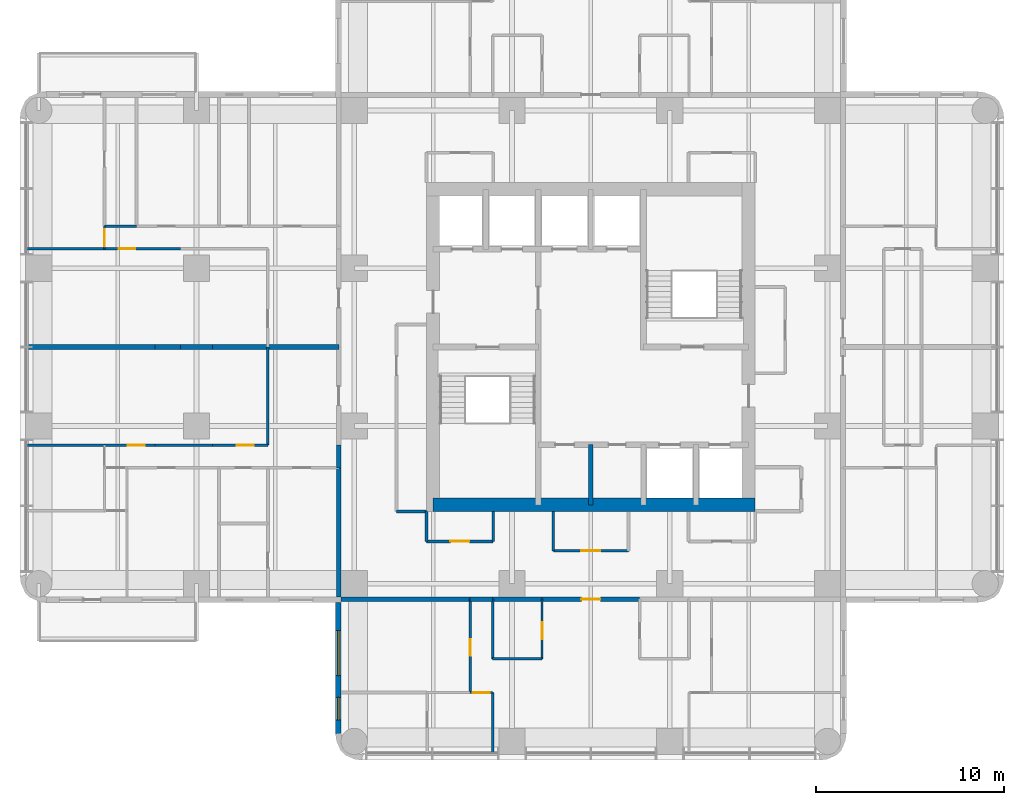
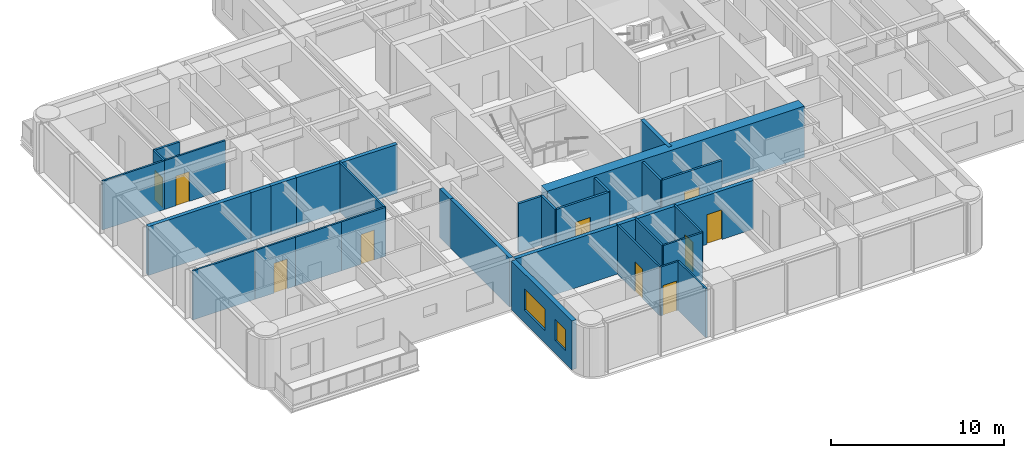
# One storey, part 5 of 11: 35 walls, 10 doors, 2 windows, 12 openings.
"""IFC4 building model written with IfcOpenShell, lengths in metres."""

from ifc_helpers import new_model, si_unit, direction, frame, frame_2d, origin, place, context, subcontext, project, spatial, rectangle, extrude, material, layer, layer_set, type_object, element, fill, save


model = new_model("IFC4")

# Units and contexts
model_context = context("Model", 3, precision=1e-05, world=origin(), true_north=direction((0.0, 1.0)))
body_context = subcontext(model_context, "Body", "Model", "MODEL_VIEW")
ifc_project = project(units=[si_unit("LENGTHUNIT", "METRE"), si_unit("AREAUNIT", "SQUARE_METRE"), si_unit("VOLUMEUNIT", "CUBIC_METRE"), si_unit("PLANEANGLEUNIT", "RADIAN"), si_unit("MASSUNIT", "GRAM", prefix="KILO")], contexts=[model_context])

# Site, building, storey
site_placement = place(None, origin())
site = spatial("IfcSite", under=ifc_project, at=site_placement, CompositionType="ELEMENT")
building_placement = place(site_placement, origin())
building = spatial("IfcBuilding", under=site, at=building_placement, Name="Torre Alcanfor", CompositionType="ELEMENT")
storey_placement = place(building_placement, frame((0.0, 0.0, 194.10009765625)))
storey = spatial("IfcBuildingStorey", under=building, at=storey_placement, Name="L50", CompositionType="ELEMENT", Elevation=194.10009765625)

# Wall, opening, door
ifc_material_1 = material(Name="Concrete block masonry, hollow blocks NMX-C-404 9 MPa", Category="masonry")
ifc_layer_1 = layer(ifc_material_1, 0.25)
ifc_layer_set_1 = layer_set([ifc_layer_1], Name="Apartment entrance wall 250 EI 60")
wall_type_1 = type_object("IfcWallType", Name="Apartment entrance wall 250 EI 60", PredefinedType="PARTITIONING", material=ifc_layer_set_1)
wall_1_placement = place(storey_placement, frame((32.0, 15.97509765625, 0.0), z_axis=(0.0, 0.0, 1.0), x_axis=(-1.0, 0.0, 0.0)))
wall_1 = element("IfcWall", 1, at=wall_1_placement, inside=storey, type_object=wall_type_1, Name="Partition L50-CORR / L50-SX-ZAG", PredefinedType="PARTITIONING", context=body_context, shape_type="SweptSolid", body=[
    extrude(rectangle(XDim=5.199951171875, YDim=0.25, at=frame_2d((2.60009765625, 0.0))), origin(), (0.0, 0.0, 1.0), 3.449951171875),
])
opening_1_placement = place(wall_1_placement, frame((2.10009765625, 0.0, 0.0)))
opening_1 = element("IfcOpeningElement", 2, at=opening_1_placement, cuts=wall_1, Name="Opening D-A1", PredefinedType="OPENING", context=body_context, shape_type="SweptSolid", body=[
    extrude(rectangle(XDim=1.0, YDim=2.10009765625, at=frame_2d((0.5, 1.050048828125))), frame((0.0, 0.135009765625, 0.0), z_axis=(0.0, -1.0, 0.0), x_axis=(1.0, 0.0, 0.0)), (0.0, 0.0, 1.0), 0.27001953125),
])
ifc_material_2 = material(Name="Galvanised steel sheet ASTM A653", Category="steel")
door_type_1 = type_object("IfcDoorType", Name="Apartment entrance door FD60 1000x2100", OperationType="SINGLE_SWING_LEFT", PredefinedType="DOOR", material=ifc_material_2)
door_1_placement = place(opening_1_placement, origin())
door_1 = element("IfcDoor", 3, at=door_1_placement, inside=storey, type_object=door_type_1, Name="Apartment entrance L50-SX", OperationType="SINGLE_SWING_LEFT", OverallHeight=2.10009765625, OverallWidth=1.0, PredefinedType="DOOR", context=body_context, shape_type="SweptSolid", body=[
    extrude(rectangle(XDim=1.0, YDim=2.10009765625, at=frame_2d((0.5, 1.050048828125))), frame((0.0, 0.02490234375, 0.0), z_axis=(0.0, -1.0, 0.0), x_axis=(1.0, 0.0, 0.0)), (0.0, 0.0, 1.0), 0.050048828125),
])
fill(opening_1, door_1)

# Walls
wall_2_placement = place(storey_placement, frame((26.800048828125, 15.97509765625, 0.0), z_axis=(0.0, 0.0, 1.0), x_axis=(-1.0, 0.0, 0.0)))
element("IfcWall", 4, at=wall_2_placement, inside=storey, type_object=wall_type_1, Name="Partition L50-CORR / L50-SX-KITCHEN", PredefinedType="PARTITIONING", context=body_context, shape_type="SweptSolid", body=[
    extrude(rectangle(XDim=2.629150390625, YDim=0.25, at=frame_2d((1.314453125, 0.0))), origin(), (0.0, 0.0, 1.0), 3.449951171875),
])
wall_3_placement = place(storey_placement, frame((24.1708984375, 15.97509765625, 0.0), z_axis=(0.0, 0.0, 1.0), x_axis=(-1.0, 0.0, 0.0)))
element("IfcWall", 5, at=wall_3_placement, inside=storey, type_object=wall_type_1, Name="Partition L50-CORR / L50-SX-LIVING", PredefinedType="PARTITIONING", context=body_context, shape_type="SweptSolid", body=[
    extrude(rectangle(XDim=1.199951171875, YDim=0.25, at=frame_2d((0.60009765625, 0.0))), origin(), (0.0, 0.0, 1.0), 3.449951171875),
])
wall_4_placement = place(storey_placement, frame((22.970947265625, 15.97509765625, 0.0), z_axis=(0.0, 0.0, 1.0), x_axis=(-1.0, 0.0, 0.0)))
element("IfcWall", 6, at=wall_4_placement, inside=storey, type_object=wall_type_1, Name="Partition L50-CORR / L50-SX-BED3", PredefinedType="PARTITIONING", context=body_context, shape_type="SweptSolid", body=[
    extrude(rectangle(XDim=6.870849609375, YDim=0.25, at=frame_2d((3.435546875, 0.0))), origin(), (0.0, 0.0, 1.0), 3.449951171875),
])
wall_5_placement = place(storey_placement, frame((15.97509765625, 22.970947265625, 0.0), z_axis=(0.0, 0.0, 1.0), x_axis=(0.0, 1.0, 0.0)))
element("IfcWall", 7, at=wall_5_placement, inside=storey, type_object=wall_type_1, Name="Partition L50-CORR / L50-W1-HALL", PredefinedType="PARTITIONING", context=body_context, shape_type="SweptSolid", body=[
    extrude(rectangle(XDim=1.199951171875, YDim=0.25, at=frame_2d((0.60009765625, 0.0))), origin(), (0.0, 0.0, 1.0), 3.449951171875),
])
wall_6_placement = place(storey_placement, frame((15.97509765625, 16.10009765625, 0.0), z_axis=(0.0, 0.0, 1.0), x_axis=(0.0, 1.0, 0.0)))
element("IfcWall", 8, at=wall_6_placement, inside=storey, type_object=wall_type_1, Name="Partition L50-CORR / L50-W1-SERV", PredefinedType="PARTITIONING", context=body_context, shape_type="SweptSolid", body=[
    extrude(rectangle(XDim=6.870849609375, YDim=0.25, at=frame_2d((3.435546875, 0.0))), origin(), (0.0, 0.0, 1.0), 3.449951171875),
])

# Wall, opening, door
ifc_material_3 = material(Name="Gypsum board on steel studs", Category="steel")
ifc_layer_2 = layer(ifc_material_3, 0.1201171875)
ifc_layer_set_2 = layer_set([ifc_layer_2], Name="Apartment partition 120")
wall_type_2 = type_object("IfcWallType", Name="Apartment partition 120", PredefinedType="PARTITIONING", material=ifc_layer_set_2)
wall_7_placement = place(storey_placement, frame((26.800048828125, 15.97509765625, 0.0), z_axis=(0.0, 0.0, 1.0), x_axis=(0.0, -1.0, 0.0)))
wall_7 = element("IfcWall", 9, at=wall_7_placement, inside=storey, type_object=wall_type_2, Name="Partition L50-SX-ZAG / L50-SX-KITCHEN", PredefinedType="PARTITIONING", context=body_context, shape_type="SweptSolid", body=[
    extrude(rectangle(XDim=3.175048828125, YDim=0.1201171875, at=frame_2d((1.58740234375, 0.0))), origin(), (0.0, 0.0, 1.0), 3.449951171875),
])
opening_2_placement = place(wall_7_placement, frame((1.22509765625, 0.0, 0.0)))
opening_2 = element("IfcOpeningElement", 10, at=opening_2_placement, cuts=wall_7, Name="Opening D-R1", PredefinedType="OPENING", context=body_context, shape_type="SweptSolid", body=[
    extrude(rectangle(XDim=0.89990234375, YDim=2.10009765625, at=frame_2d((0.449951171875, 1.050048828125))), frame((0.0, 0.070068359375, 0.0), z_axis=(0.0, -1.0, 0.0), x_axis=(1.0, 0.0, 0.0)), (0.0, 0.0, 1.0), 0.14013671875),
])
ifc_material_4 = material(Name="Timber", Category="wood")
door_type_2 = type_object("IfcDoorType", Name="Internal door 900x2100", OperationType="SINGLE_SWING_LEFT", PredefinedType="DOOR", material=ifc_material_4)
door_2_placement = place(opening_2_placement, frame((0.89990234375, 0.0, 0.0), z_axis=(0.0, 0.0, 1.0), x_axis=(-1.0, 0.0, 0.0)))
door_2 = element("IfcDoor", 11, at=door_2_placement, inside=storey, type_object=door_type_2, Name="Door L50-SX kitchen", OperationType="SINGLE_SWING_LEFT", OverallHeight=2.10009765625, OverallWidth=0.89990234375, PredefinedType="DOOR", context=body_context, shape_type="SweptSolid", body=[
    extrude(rectangle(XDim=0.89990234375, YDim=2.10009765625, at=frame_2d((0.449951171875, 1.050048828125))), frame((0.0, 0.025146484375, 0.0), z_axis=(0.0, -1.0, 0.0), x_axis=(1.0, 0.0, 0.0)), (0.0, 0.0, 1.0), 0.050048828125),
])
fill(opening_2, door_2)

# Walls
wall_8_placement = place(storey_placement, frame((24.1708984375, 15.97509765625, 0.0), z_axis=(0.0, 0.0, 1.0), x_axis=(0.0, -1.0, 0.0)))
element("IfcWall", 12, at=wall_8_placement, inside=storey, type_object=wall_type_2, Name="Partition L50-SX-KITCHEN / L50-SX-LIVING", PredefinedType="PARTITIONING", context=body_context, shape_type="SweptSolid", body=[
    extrude(rectangle(XDim=3.175048828125, YDim=0.1201171875, at=frame_2d((1.58740234375, 0.0))), origin(), (0.0, 0.0, 1.0), 3.449951171875),
])
wall_9_placement = place(storey_placement, frame((24.1708984375, 12.800048828125, 0.0), z_axis=(0.0, 0.0, 1.0), x_axis=(1.0, 0.0, 0.0)))
element("IfcWall", 13, at=wall_9_placement, inside=storey, type_object=wall_type_2, Name="Partition L50-SX-KITCHEN / L50-SX-LIVING", PredefinedType="PARTITIONING", context=body_context, shape_type="SweptSolid", body=[
    extrude(rectangle(XDim=2.629150390625, YDim=0.1201171875, at=frame_2d((1.314453125, 0.0))), origin(), (0.0, 0.0, 1.0), 3.449951171875),
])

# Wall, opening, door
wall_10_placement = place(storey_placement, frame((22.970947265625, 11.0, 0.0), z_axis=(0.0, 0.0, 1.0), x_axis=(0.0, 1.0, 0.0)))
wall_10 = element("IfcWall", 14, at=wall_10_placement, inside=storey, type_object=wall_type_2, Name="Partition L50-SX-LIVING / L50-SX-BED3", PredefinedType="PARTITIONING", context=body_context, shape_type="SweptSolid", body=[
    extrude(rectangle(XDim=4.97509765625, YDim=0.1201171875, at=frame_2d((2.487548828125, 0.0))), origin(), (0.0, 0.0, 1.0), 3.449951171875),
])
opening_3_placement = place(wall_10_placement, frame((1.949951171875, 0.0, 0.0)))
opening_3 = element("IfcOpeningElement", 15, at=opening_3_placement, cuts=wall_10, Name="Opening D-R1", PredefinedType="OPENING", context=body_context, shape_type="SweptSolid", body=[
    extrude(rectangle(XDim=0.89990234375, YDim=2.10009765625, at=frame_2d((0.449951171875, 1.050048828125))), frame((0.0, 0.070068359375, 0.0), z_axis=(0.0, -1.0, 0.0), x_axis=(1.0, 0.0, 0.0)), (0.0, 0.0, 1.0), 0.14013671875),
])
door_3_placement = place(opening_3_placement, origin())
door_3 = element("IfcDoor", 16, at=door_3_placement, inside=storey, type_object=door_type_2, Name="Door L50-SX bed3", OperationType="SINGLE_SWING_LEFT", OverallHeight=2.10009765625, OverallWidth=0.89990234375, PredefinedType="DOOR", context=body_context, shape_type="SweptSolid", body=[
    extrude(rectangle(XDim=0.89990234375, YDim=2.10009765625, at=frame_2d((0.449951171875, 1.050048828125))), frame((0.0, 0.02490234375, 0.0), z_axis=(0.0, -1.0, 0.0), x_axis=(1.0, 0.0, 0.0)), (0.0, 0.0, 1.0), 0.050048828125),
])
fill(opening_3, door_3)

# Wall
wall_11_placement = place(storey_placement, frame((24.1708984375, 7.75, 0.0), z_axis=(0.0, 0.0, 1.0), x_axis=(0.0, 1.0, 0.0)))
element("IfcWall", 17, at=wall_11_placement, inside=storey, type_object=wall_type_2, Name="Partition L50-SX-LIVING / L50-SX-BED1", PredefinedType="PARTITIONING", context=body_context, shape_type="SweptSolid", body=[
    extrude(rectangle(XDim=3.25, YDim=0.1201171875, at=frame_2d((1.625, 0.0))), origin(), (0.0, 0.0, 1.0), 3.449951171875),
])

# Wall, opening, door
wall_12_placement = place(storey_placement, frame((24.1708984375, 11.0, 0.0), z_axis=(0.0, 0.0, 1.0), x_axis=(-1.0, 0.0, 0.0)))
wall_12 = element("IfcWall", 18, at=wall_12_placement, inside=storey, type_object=wall_type_2, Name="Partition L50-SX-LIVING / L50-SX-BED1", PredefinedType="PARTITIONING", context=body_context, shape_type="SweptSolid", body=[
    extrude(rectangle(XDim=1.199951171875, YDim=0.1201171875, at=frame_2d((0.60009765625, 0.0))), origin(), (0.0, 0.0, 1.0), 3.449951171875),
])
opening_4_placement = place(wall_12_placement, frame((0.15087890625, 0.0, 0.0)))
opening_4 = element("IfcOpeningElement", 19, at=opening_4_placement, cuts=wall_12, Name="Opening D-R1", PredefinedType="OPENING", context=body_context, shape_type="SweptSolid", body=[
    extrude(rectangle(XDim=0.89990234375, YDim=2.10009765625, at=frame_2d((0.449951171875, 1.050048828125))), frame((0.0, 0.070068359375, 0.0), z_axis=(0.0, -1.0, 0.0), x_axis=(1.0, 0.0, 0.0)), (0.0, 0.0, 1.0), 0.14013671875),
])
door_4_placement = place(opening_4_placement, origin())
door_4 = element("IfcDoor", 20, at=door_4_placement, inside=storey, type_object=door_type_2, Name="Door L50-SX bed1", OperationType="SINGLE_SWING_LEFT", OverallHeight=2.10009765625, OverallWidth=0.89990234375, PredefinedType="DOOR", context=body_context, shape_type="SweptSolid", body=[
    extrude(rectangle(XDim=0.89990234375, YDim=2.10009765625, at=frame_2d((0.449951171875, 1.050048828125))), frame((0.0, 0.02490234375, 0.0), z_axis=(0.0, -1.0, 0.0), x_axis=(1.0, 0.0, 0.0)), (0.0, 0.0, 1.0), 0.050048828125),
])
fill(opening_4, door_4)

# Wall
wall_13_placement = place(storey_placement, frame((12.199951171875, 29.39990234375, 0.0), z_axis=(0.0, 0.0, 1.0), x_axis=(0.0, -1.0, 0.0)))
element("IfcWall", 21, at=wall_13_placement, inside=storey, type_object=wall_type_2, Name="Partition L50-W1-ZAG / L50-W1-LAUND", PredefinedType="PARTITIONING", context=body_context, shape_type="SweptSolid", body=[
    extrude(rectangle(XDim=5.22900390625, YDim=0.1201171875, at=frame_2d((2.614501953125, 0.0))), origin(), (0.0, 0.0, 1.0), 3.449951171875),
])

# Wall, opening, door
wall_14_placement = place(storey_placement, frame((9.25, 24.1708984375, 0.0), z_axis=(0.0, 0.0, 1.0), x_axis=(1.0, 0.0, 0.0)))
wall_14 = element("IfcWall", 22, at=wall_14_placement, inside=storey, type_object=wall_type_2, Name="Partition L50-W1-LAUND / L50-W1-HALL", PredefinedType="PARTITIONING", context=body_context, shape_type="SweptSolid", body=[
    extrude(rectangle(XDim=2.949951171875, YDim=0.1201171875, at=frame_2d((1.47509765625, 0.0))), origin(), (0.0, 0.0, 1.0), 3.449951171875),
])
opening_5_placement = place(wall_14_placement, frame((1.300048828125, 0.0, 0.0)))
opening_5 = element("IfcOpeningElement", 23, at=opening_5_placement, cuts=wall_14, Name="Opening D-R1", PredefinedType="OPENING", context=body_context, shape_type="SweptSolid", body=[
    extrude(rectangle(XDim=0.89990234375, YDim=2.10009765625, at=frame_2d((0.449951171875, 1.050048828125))), frame((0.0, 0.070068359375, 0.0), z_axis=(0.0, -1.0, 0.0), x_axis=(1.0, 0.0, 0.0)), (0.0, 0.0, 1.0), 0.14013671875),
])
door_5_placement = place(opening_5_placement, origin())
door_5 = element("IfcDoor", 24, at=door_5_placement, inside=storey, type_object=door_type_2, Name="Door L50-W1 laund", OperationType="SINGLE_SWING_RIGHT", OverallHeight=2.10009765625, OverallWidth=0.89990234375, PredefinedType="DOOR", context=body_context, shape_type="SweptSolid", body=[
    extrude(rectangle(XDim=0.89990234375, YDim=2.10009765625, at=frame_2d((0.449951171875, 1.050048828125))), frame((0.0, 0.02490234375, 0.0), z_axis=(0.0, -1.0, 0.0), x_axis=(1.0, 0.0, 0.0)), (0.0, 0.0, 1.0), 0.050048828125),
])
fill(opening_5, door_5)

# Wall
wall_15_placement = place(storey_placement, frame((6.199951171875, 24.1708984375, 0.0), z_axis=(0.0, 0.0, 1.0), x_axis=(1.0, 0.0, 0.0)))
element("IfcWall", 25, at=wall_15_placement, inside=storey, type_object=wall_type_2, Name="Partition L50-W1-KITCHEN / L50-W1-HALL", PredefinedType="PARTITIONING", context=body_context, shape_type="SweptSolid", body=[
    extrude(rectangle(XDim=3.050048828125, YDim=0.1201171875, at=frame_2d((1.52490234375, 0.0))), origin(), (0.0, 0.0, 1.0), 3.449951171875),
])

# Wall, opening, door
wall_16_placement = place(storey_placement, frame((3.5, 24.1708984375, 0.0), z_axis=(0.0, 0.0, 1.0), x_axis=(1.0, 0.0, 0.0)))
wall_16 = element("IfcWall", 26, at=wall_16_placement, inside=storey, type_object=wall_type_2, Name="Partition L50-W1-LIVING / L50-W1-HALL", PredefinedType="PARTITIONING", context=body_context, shape_type="SweptSolid", body=[
    extrude(rectangle(XDim=2.699951171875, YDim=0.1201171875, at=frame_2d((1.35009765625, 0.0))), origin(), (0.0, 0.0, 1.0), 3.449951171875),
])
opening_6_placement = place(wall_16_placement, frame((1.25, 0.0, 0.0)))
opening_6 = element("IfcOpeningElement", 27, at=opening_6_placement, cuts=wall_16, Name="Opening D-R1", PredefinedType="OPENING", context=body_context, shape_type="SweptSolid", body=[
    extrude(rectangle(XDim=0.89990234375, YDim=2.10009765625, at=frame_2d((0.449951171875, 1.050048828125))), frame((0.0, 0.070068359375, 0.0), z_axis=(0.0, -1.0, 0.0), x_axis=(1.0, 0.0, 0.0)), (0.0, 0.0, 1.0), 0.14013671875),
])
door_6_placement = place(opening_6_placement, origin())
door_6 = element("IfcDoor", 28, at=door_6_placement, inside=storey, type_object=door_type_2, Name="Door L50-W1 living", OperationType="SINGLE_SWING_RIGHT", OverallHeight=2.10009765625, OverallWidth=0.89990234375, PredefinedType="DOOR", context=body_context, shape_type="SweptSolid", body=[
    extrude(rectangle(XDim=0.89990234375, YDim=2.10009765625, at=frame_2d((0.449951171875, 1.050048828125))), frame((0.0, 0.02490234375, 0.0), z_axis=(0.0, -1.0, 0.0), x_axis=(1.0, 0.0, 0.0)), (0.0, 0.0, 1.0), 0.050048828125),
])
fill(opening_6, door_6)

# Wall
wall_17_placement = place(storey_placement, frame((-0.64990234375, 24.1708984375, 0.0), z_axis=(0.0, 0.0, 1.0), x_axis=(1.0, 0.0, 0.0)))
element("IfcWall", 29, at=wall_17_placement, inside=storey, type_object=wall_type_2, Name="Partition L50-W1-LIVING / L50-W1-BED2", PredefinedType="PARTITIONING", context=body_context, shape_type="SweptSolid", body=[
    extrude(rectangle(XDim=4.14990234375, YDim=0.1201171875, at=frame_2d((2.074951171875, 0.0))), origin(), (0.0, 0.0, 1.0), 3.449951171875),
])

# Wall, opening, door
wall_18_placement = place(storey_placement, frame((3.5, 34.62890625, 0.0), z_axis=(0.0, 0.0, 1.0), x_axis=(1.0, 0.0, 0.0)))
wall_18 = element("IfcWall", 30, at=wall_18_placement, inside=storey, type_object=wall_type_2, Name="Partition L50-W2-LIVING / L50-W2-HALL", PredefinedType="PARTITIONING", context=body_context, shape_type="SweptSolid", body=[
    extrude(rectangle(XDim=4.050048828125, YDim=0.1201171875, at=frame_2d((2.02490234375, 0.0))), origin(), (0.0, 0.0, 1.0), 3.449951171875),
])
opening_7_placement = place(wall_18_placement, frame((0.75, 0.0, 0.0)))
opening_7 = element("IfcOpeningElement", 31, at=opening_7_placement, cuts=wall_18, Name="Opening D-R1", PredefinedType="OPENING", context=body_context, shape_type="SweptSolid", body=[
    extrude(rectangle(XDim=0.89990234375, YDim=2.10009765625, at=frame_2d((0.449951171875, 1.050048828125))), frame((0.0, 0.070068359375, 0.0), z_axis=(0.0, -1.0, 0.0), x_axis=(1.0, 0.0, 0.0)), (0.0, 0.0, 1.0), 0.14013671875),
])
door_7_placement = place(opening_7_placement, frame((0.89990234375, 0.0, 0.0), z_axis=(0.0, 0.0, 1.0), x_axis=(-1.0, 0.0, 0.0)))
door_7 = element("IfcDoor", 32, at=door_7_placement, inside=storey, type_object=door_type_2, Name="Door L50-W2 living", OperationType="SINGLE_SWING_LEFT", OverallHeight=2.10009765625, OverallWidth=0.89990234375, PredefinedType="DOOR", context=body_context, shape_type="SweptSolid", body=[
    extrude(rectangle(XDim=0.89990234375, YDim=2.10009765625, at=frame_2d((0.449951171875, 1.050048828125))), frame((0.0, 0.025146484375, 0.0), z_axis=(0.0, -1.0, 0.0), x_axis=(1.0, 0.0, 0.0)), (0.0, 0.0, 1.0), 0.050048828125),
])
fill(opening_7, door_7)

# Wall
wall_19_placement = place(storey_placement, frame((-0.64990234375, 34.62890625, 0.0), z_axis=(0.0, 0.0, 1.0), x_axis=(1.0, 0.0, 0.0)))
element("IfcWall", 33, at=wall_19_placement, inside=storey, type_object=wall_type_2, Name="Partition L50-W2-LIVING / L50-W2-MASTER", PredefinedType="PARTITIONING", context=body_context, shape_type="SweptSolid", body=[
    extrude(rectangle(XDim=4.14990234375, YDim=0.1201171875, at=frame_2d((2.074951171875, 0.0))), origin(), (0.0, 0.0, 1.0), 3.449951171875),
])

# Wall, opening, door
wall_20_placement = place(storey_placement, frame((3.5, 34.62890625, 0.0), z_axis=(0.0, 0.0, 1.0), x_axis=(0.0, 1.0, 0.0)))
wall_20 = element("IfcWall", 34, at=wall_20_placement, inside=storey, type_object=wall_type_2, Name="Partition L50-W2-HALL / L50-W2-MASTER", PredefinedType="PARTITIONING", context=body_context, shape_type="SweptSolid", body=[
    extrude(rectangle(XDim=1.2001953125, YDim=0.1201171875, at=frame_2d((0.60009765625, 0.0))), origin(), (0.0, 0.0, 1.0), 3.449951171875),
])
opening_8_placement = place(wall_20_placement, frame((0.15087890625, 0.0, 0.0)))
opening_8 = element("IfcOpeningElement", 35, at=opening_8_placement, cuts=wall_20, Name="Opening D-R1", PredefinedType="OPENING", context=body_context, shape_type="SweptSolid", body=[
    extrude(rectangle(XDim=0.89990234375, YDim=2.10009765625, at=frame_2d((0.449951171875, 1.050048828125))), frame((0.0, 0.070068359375, 0.0), z_axis=(0.0, -1.0, 0.0), x_axis=(1.0, 0.0, 0.0)), (0.0, 0.0, 1.0), 0.14013671875),
])
door_8_placement = place(opening_8_placement, origin())
door_8 = element("IfcDoor", 36, at=door_8_placement, inside=storey, type_object=door_type_2, Name="Door L50-W2 master", OperationType="SINGLE_SWING_LEFT", OverallHeight=2.10009765625, OverallWidth=0.89990234375, PredefinedType="DOOR", context=body_context, shape_type="SweptSolid", body=[
    extrude(rectangle(XDim=0.89990234375, YDim=2.10009765625, at=frame_2d((0.449951171875, 1.050048828125))), frame((0.0, 0.02490234375, 0.0), z_axis=(0.0, -1.0, 0.0), x_axis=(1.0, 0.0, 0.0)), (0.0, 0.0, 1.0), 0.050048828125),
])
fill(opening_8, door_8)

# Walls
ifc_material_5 = material(Name="Concrete f'c 70 MPa", Category="concrete")
ifc_layer_3 = layer(ifc_material_5, 0.25)
ifc_layer_set_3 = layer_set([ifc_layer_3], Name="Core shaft wall 250 f'c70")
wall_type_3 = type_object("IfcWallType", Name="Core shaft wall 250 f'c70", PredefinedType="SHEAR", material=ifc_layer_set_3)
wall_21_placement = place(storey_placement, frame((29.39990234375, 21.0, 0.0), z_axis=(0.0, 0.0, 1.0), x_axis=(0.0, 1.0, 0.0)))
element("IfcWall", 37, at=wall_21_placement, inside=storey, type_object=wall_type_3, Name="Core wall X294S L50", PredefinedType="SHEAR", context=body_context, shape_type="SweptSolid", body=[
    extrude(rectangle(XDim=3.199951171875, YDim=0.25, at=frame_2d((1.60009765625, 0.0))), origin(), (0.0, 0.0, 1.0), 3.599853515625),
])
ifc_material_6 = material(Name="Concrete f'c 70 MPa", Category="concrete")
ifc_layer_4 = layer(ifc_material_6, 0.699951171875)
ifc_layer_set_4 = layer_set([ifc_layer_4], Name="Core wall 700 f'c70")
wall_type_4 = type_object("IfcWallType", Name="Core wall 700 f'c70", PredefinedType="SHEAR", material=ifc_layer_set_4)
wall_22_placement = place(storey_placement, frame((21.0, 21.0, 0.0), z_axis=(0.0, 0.0, 1.0), x_axis=(1.0, 0.0, 0.0)))
element("IfcWall", 38, at=wall_22_placement, inside=storey, type_object=wall_type_4, Name="Core wall OUT-S L50", PredefinedType="SHEAR", context=body_context, shape_type="SweptSolid", body=[
    extrude(rectangle(XDim=17.14990234375, YDim=0.699951171875, at=frame_2d((8.574951171875, 0.0))), origin(), (0.0, 0.0, 1.0), 3.599853515625),
])

# Wall, openings, windows
ifc_material_7 = material(Name="Limestone cladding", Category="masonry")
ifc_layer_5 = layer(ifc_material_7, 0.0400390625, Name="Facing")
ifc_material_8 = material(Name="Ventilated air cavity")
ifc_layer_6 = layer(ifc_material_8, 0.02001953125, ventilated=True, Name="Ventilated joint")
ifc_material_9 = material(Name="Mineral wool insulation", Category="insulation")
ifc_layer_7 = layer(ifc_material_9, 0.10009765625, Name="Insulation")
ifc_material_10 = material(Name="Concrete f'c 35 MPa", Category="concrete")
ifc_layer_8 = layer(ifc_material_10, 0.139892578125, Name="Backing")
ifc_layer_set_5 = layer_set([ifc_layer_5, ifc_layer_6, ifc_layer_7, ifc_layer_8], Name="External wall stone-clad 300")
wall_type_5 = type_object("IfcWallType", Name="External wall stone-clad 300", PredefinedType="SOLIDWALL", material=ifc_layer_set_5)
wall_23_placement = place(storey_placement, frame((15.949951171875, 15.800048828125, 0.0), z_axis=(0.0, 0.0, 1.0), x_axis=(0.0, -1.0, 0.0)))
wall_23 = element("IfcWall", 39, at=wall_23_placement, inside=storey, type_object=wall_type_5, Name="External wall L50 4", PredefinedType="SOLIDWALL", context=body_context, shape_type="SweptSolid", body=[
    extrude(rectangle(XDim=7.0, YDim=0.300048828125, at=frame_2d((3.5, 0.0))), origin(), (0.0, 0.0, 1.0), 3.449951171875),
])
opening_9_placement = place(wall_23_placement, frame((1.5, 0.0, 0.89990234375)))
opening_9 = element("IfcOpeningElement", 40, at=opening_9_placement, cuts=wall_23, Name="Opening W1", PredefinedType="OPENING", context=body_context, shape_type="SweptSolid", body=[
    extrude(rectangle(XDim=2.39990234375, YDim=1.5, at=frame_2d((1.199951171875, 0.75))), frame((0.0, 0.159912109375, 0.0), z_axis=(0.0, -1.0, 0.0), x_axis=(1.0, 0.0, 0.0)), (0.0, 0.0, 1.0), 0.320068359375),
])
opening_10_placement = place(wall_23_placement, frame((5.050048828125, 0.0, 0.89990234375)))
opening_10 = element("IfcOpeningElement", 41, at=opening_10_placement, cuts=wall_23, Name="Opening W4", PredefinedType="OPENING", context=body_context, shape_type="SweptSolid", body=[
    extrude(rectangle(XDim=1.199951171875, YDim=1.5, at=frame_2d((0.60009765625, 0.75))), frame((0.0, 0.159912109375, 0.0), z_axis=(0.0, -1.0, 0.0), x_axis=(1.0, 0.0, 0.0)), (0.0, 0.0, 1.0), 0.320068359375),
])
ifc_material_11 = material(Name="Aluminium frame with clear double glazing", Category="aluminium")
window_type_1 = type_object("IfcWindowType", Name="Window bedroom 1200x1500", PartitioningType="SINGLE_PANEL", PredefinedType="WINDOW", material=ifc_material_11)
window_1_placement = place(opening_10_placement, origin())
window_1 = element("IfcWindow", 42, at=window_1_placement, inside=storey, type_object=window_type_1, Name="Window W4 L50-S2", OverallHeight=1.5, OverallWidth=1.199951171875, PartitioningType="SINGLE_PANEL", PredefinedType="WINDOW", context=body_context, shape_type="SweptSolid", body=[
    extrude(rectangle(XDim=1.199951171875, YDim=1.5, at=frame_2d((0.60009765625, 0.75))), frame((0.0, 0.030029296875, 0.0), z_axis=(0.0, -1.0, 0.0), x_axis=(1.0, 0.0, 0.0)), (0.0, 0.0, 1.0), 0.06005859375),
])
fill(opening_10, window_1)
ifc_material_12 = material(Name="Aluminium frame with clear double glazing", Category="aluminium")
window_type_2 = type_object("IfcWindowType", Name="Window bedroom 2400x1500", PartitioningType="SINGLE_PANEL", PredefinedType="WINDOW", material=ifc_material_12)
window_2_placement = place(opening_9_placement, origin())
window_2 = element("IfcWindow", 43, at=window_2_placement, inside=storey, type_object=window_type_2, Name="Window W1 L50-S2", OverallHeight=1.5, OverallWidth=2.39990234375, PartitioningType="SINGLE_PANEL", PredefinedType="WINDOW", context=body_context, shape_type="SweptSolid", body=[
    extrude(rectangle(XDim=2.39990234375, YDim=1.5, at=frame_2d((1.199951171875, 0.75))), frame((0.0, 0.030029296875, 0.0), z_axis=(0.0, -1.0, 0.0), x_axis=(1.0, 0.0, 0.0)), (0.0, 0.0, 1.0), 0.06005859375),
])
fill(opening_9, window_2)

# Walls
ifc_material_13 = material(Name="Concrete block masonry, hollow blocks NMX-C-404 9 MPa", Category="masonry")
ifc_layer_9 = layer(ifc_material_13, 0.25)
ifc_layer_set_6 = layer_set([ifc_layer_9], Name="Party wall 250 EI 60")
wall_type_6 = type_object("IfcWallType", Name="Party wall 250 EI 60", PredefinedType="PARTITIONING", material=ifc_layer_set_6)
wall_24_placement = place(storey_placement, frame((15.97509765625, 29.39990234375, 0.0), z_axis=(0.0, 0.0, 1.0), x_axis=(-1.0, 0.0, 0.0)))
element("IfcWall", 44, at=wall_24_placement, inside=storey, type_object=wall_type_6, Name="Partition L50-W1-ZAG / L50-W2-ZAG", PredefinedType="PARTITIONING", context=body_context, shape_type="SweptSolid", body=[
    extrude(rectangle(XDim=3.775146484375, YDim=0.25, at=frame_2d((1.8876953125, 0.0))), origin(), (0.0, 0.0, 1.0), 3.449951171875),
])
wall_25_placement = place(storey_placement, frame((12.199951171875, 29.39990234375, 0.0), z_axis=(0.0, 0.0, 1.0), x_axis=(-1.0, 0.0, 0.0)))
element("IfcWall", 45, at=wall_25_placement, inside=storey, type_object=wall_type_6, Name="Partition L50-W1-LAUND / L50-W2-KITCHEN", PredefinedType="PARTITIONING", context=body_context, shape_type="SweptSolid", body=[
    extrude(rectangle(XDim=2.949951171875, YDim=0.25, at=frame_2d((1.47509765625, 0.0))), origin(), (0.0, 0.0, 1.0), 3.449951171875),
])
wall_26_placement = place(storey_placement, frame((9.25, 29.39990234375, 0.0), z_axis=(0.0, 0.0, 1.0), x_axis=(-1.0, 0.0, 0.0)))
element("IfcWall", 46, at=wall_26_placement, inside=storey, type_object=wall_type_6, Name="Partition L50-W1-KITCHEN / L50-W2-KITCHEN", PredefinedType="PARTITIONING", context=body_context, shape_type="SweptSolid", body=[
    extrude(rectangle(XDim=1.699951171875, YDim=0.25, at=frame_2d((0.85009765625, 0.0))), origin(), (0.0, 0.0, 1.0), 3.449951171875),
])
wall_27_placement = place(storey_placement, frame((7.550048828125, 29.39990234375, 0.0), z_axis=(0.0, 0.0, 1.0), x_axis=(-1.0, 0.0, 0.0)))
element("IfcWall", 47, at=wall_27_placement, inside=storey, type_object=wall_type_6, Name="Partition L50-W1-KITCHEN / L50-W2-LIVING", PredefinedType="PARTITIONING", context=body_context, shape_type="SweptSolid", body=[
    extrude(rectangle(XDim=1.35009765625, YDim=0.25, at=frame_2d((0.675048828125, 0.0))), origin(), (0.0, 0.0, 1.0), 3.449951171875),
])
wall_28_placement = place(storey_placement, frame((6.199951171875, 29.39990234375, 0.0), z_axis=(0.0, 0.0, 1.0), x_axis=(-1.0, 0.0, 0.0)))
element("IfcWall", 48, at=wall_28_placement, inside=storey, type_object=wall_type_6, Name="Partition L50-W1-LIVING / L50-W2-LIVING", PredefinedType="PARTITIONING", context=body_context, shape_type="SweptSolid", body=[
    extrude(rectangle(XDim=6.849853515625, YDim=0.25, at=frame_2d((3.4248046875, 0.0))), origin(), (0.0, 0.0, 1.0), 3.449951171875),
])
ifc_material_14 = material(Name="Concrete block masonry, hollow blocks NMX-C-404 9 MPa", Category="masonry")
ifc_layer_10 = layer(ifc_material_14, 0.14990234375)
ifc_layer_set_7 = layer_set([ifc_layer_10], Name="Residents' room partition 150")
wall_type_7 = type_object("IfcWallType", Name="Residents' room partition 150", PredefinedType="PARTITIONING", material=ifc_layer_set_7)
wall_29_placement = place(storey_placement, frame((20.64990234375, 20.64990234375, 0.0), z_axis=(0.0, 0.0, 1.0), x_axis=(0.0, -1.0, 0.0)))
element("IfcWall", 49, at=wall_29_placement, inside=storey, type_object=wall_type_7, Name="Partition L50-CORR / L50-G05", PredefinedType="PARTITIONING", context=body_context, shape_type="SweptSolid", body=[
    extrude(rectangle(XDim=1.599853515625, YDim=0.14990234375, at=frame_2d((0.7998046875, 0.0))), origin(), (0.0, 0.0, 1.0), 3.449951171875),
])

# Wall, opening, door
wall_30_placement = place(storey_placement, frame((20.64990234375, 19.050048828125, 0.0), z_axis=(0.0, 0.0, 1.0), x_axis=(1.0, 0.0, 0.0)))
wall_30 = element("IfcWall", 50, at=wall_30_placement, inside=storey, type_object=wall_type_7, Name="Partition L50-CORR / L50-G05", PredefinedType="PARTITIONING", context=body_context, shape_type="SweptSolid", body=[
    extrude(rectangle(XDim=3.550048828125, YDim=0.14990234375, at=frame_2d((1.77490234375, 0.0))), origin(), (0.0, 0.0, 1.0), 3.449951171875),
])
opening_11_placement = place(wall_30_placement, frame((1.27490234375, 0.0, 0.0)))
opening_11 = element("IfcOpeningElement", 51, at=opening_11_placement, cuts=wall_30, Name="Opening D-M1", PredefinedType="OPENING", context=body_context, shape_type="SweptSolid", body=[
    extrude(rectangle(XDim=1.0, YDim=2.10009765625, at=frame_2d((0.5, 1.050048828125))), frame((0.0, 0.0849609375, 0.0), z_axis=(0.0, -1.0, 0.0), x_axis=(1.0, 0.0, 0.0)), (0.0, 0.0, 1.0), 0.169921875),
])
ifc_material_15 = material(Name="Timber", Category="wood")
door_type_3 = type_object("IfcDoorType", Name="Residents' room door 1000x2100", OperationType="SINGLE_SWING_LEFT", PredefinedType="DOOR", material=ifc_material_15)
door_9_placement = place(opening_11_placement, origin())
door_9 = element("IfcDoor", 52, at=door_9_placement, inside=storey, type_object=door_type_3, Name="Door L50-G05 cleaners' store", OperationType="SINGLE_SWING_LEFT", OverallHeight=2.10009765625, OverallWidth=1.0, PredefinedType="DOOR", context=body_context, shape_type="SweptSolid", body=[
    extrude(rectangle(XDim=1.0, YDim=2.10009765625, at=frame_2d((0.5, 1.050048828125))), frame((0.0, 0.02490234375, 0.0), z_axis=(0.0, -1.0, 0.0), x_axis=(1.0, 0.0, 0.0)), (0.0, 0.0, 1.0), 0.050048828125),
])
fill(opening_11, door_9)

# Walls
wall_31_placement = place(storey_placement, frame((24.199951171875, 19.050048828125, 0.0), z_axis=(0.0, 0.0, 1.0), x_axis=(0.0, 1.0, 0.0)))
element("IfcWall", 53, at=wall_31_placement, inside=storey, type_object=wall_type_7, Name="Partition L50-CORR / L50-G05", PredefinedType="PARTITIONING", context=body_context, shape_type="SweptSolid", body=[
    extrude(rectangle(XDim=1.599853515625, YDim=0.14990234375, at=frame_2d((0.7998046875, 0.0))), origin(), (0.0, 0.0, 1.0), 3.449951171875),
])
wall_32_placement = place(storey_placement, frame((27.39990234375, 20.64990234375, 0.0), z_axis=(0.0, 0.0, 1.0), x_axis=(0.0, -1.0, 0.0)))
element("IfcWall", 54, at=wall_32_placement, inside=storey, type_object=wall_type_7, Name="Partition L50-CORR / L50-G06", PredefinedType="PARTITIONING", context=body_context, shape_type="SweptSolid", body=[
    extrude(rectangle(XDim=2.099853515625, YDim=0.14990234375, at=frame_2d((1.0498046875, 0.0))), origin(), (0.0, 0.0, 1.0), 3.449951171875),
])

# Wall, opening, door
wall_33_placement = place(storey_placement, frame((27.39990234375, 18.550048828125, 0.0), z_axis=(0.0, 0.0, 1.0), x_axis=(1.0, 0.0, 0.0)))
wall_33 = element("IfcWall", 55, at=wall_33_placement, inside=storey, type_object=wall_type_7, Name="Partition L50-CORR / L50-G06", PredefinedType="PARTITIONING", context=body_context, shape_type="SweptSolid", body=[
    extrude(rectangle(XDim=4.0, YDim=0.14990234375, at=frame_2d((2.0, 0.0))), origin(), (0.0, 0.0, 1.0), 3.449951171875),
])
opening_12_placement = place(wall_33_placement, frame((1.5, 0.0, 0.0)))
opening_12 = element("IfcOpeningElement", 56, at=opening_12_placement, cuts=wall_33, Name="Opening D-M1", PredefinedType="OPENING", context=body_context, shape_type="SweptSolid", body=[
    extrude(rectangle(XDim=1.0, YDim=2.10009765625, at=frame_2d((0.5, 1.050048828125))), frame((0.0, 0.0849609375, 0.0), z_axis=(0.0, -1.0, 0.0), x_axis=(1.0, 0.0, 0.0)), (0.0, 0.0, 1.0), 0.169921875),
])
door_10_placement = place(opening_12_placement, origin())
door_10 = element("IfcDoor", 57, at=door_10_placement, inside=storey, type_object=door_type_3, Name="Door L50-G06 linen store", OperationType="SINGLE_SWING_LEFT", OverallHeight=2.10009765625, OverallWidth=1.0, PredefinedType="DOOR", context=body_context, shape_type="SweptSolid", body=[
    extrude(rectangle(XDim=1.0, YDim=2.10009765625, at=frame_2d((0.5, 1.050048828125))), frame((0.0, 0.02490234375, 0.0), z_axis=(0.0, -1.0, 0.0), x_axis=(1.0, 0.0, 0.0)), (0.0, 0.0, 1.0), 0.050048828125),
])
fill(opening_12, door_10)

# Walls
wall_34_placement = place(storey_placement, frame((19.050048828125, 20.64990234375, 0.0), z_axis=(0.0, 0.0, 1.0), x_axis=(1.0, 0.0, 0.0)))
element("IfcWall", 58, at=wall_34_placement, inside=storey, type_object=wall_type_7, Name="Partition L50-CORR / L50-G08", PredefinedType="PARTITIONING", context=body_context, shape_type="SweptSolid", body=[
    extrude(rectangle(XDim=1.599853515625, YDim=0.14990234375, at=frame_2d((0.7998046875, 0.0))), origin(), (0.0, 0.0, 1.0), 3.449951171875),
])
ifc_material_16 = material(Name="Cement board on steel studs", Category="steel")
ifc_layer_11 = layer(ifc_material_16, 0.14990234375)
ifc_layer_set_8 = layer_set([ifc_layer_11], Name="Wet area partition 150")
wall_type_8 = type_object("IfcWallType", Name="Wet area partition 150", PredefinedType="PARTITIONING", material=ifc_layer_set_8)
wall_35_placement = place(storey_placement, frame((3.5, 35.8291015625, 0.0), z_axis=(0.0, 0.0, 1.0), x_axis=(1.0, 0.0, 0.0)))
element("IfcWall", 59, at=wall_35_placement, inside=storey, type_object=wall_type_8, Name="Partition L50-W2-HALL / L50-W2-ENSBATH", PredefinedType="PARTITIONING", context=body_context, shape_type="SweptSolid", body=[
    extrude(rectangle(XDim=1.699951171875, YDim=0.14990234375, at=frame_2d((0.85009765625, 0.0))), origin(), (0.0, 0.0, 1.0), 3.449951171875),
])

save(model, "model.ifc")
